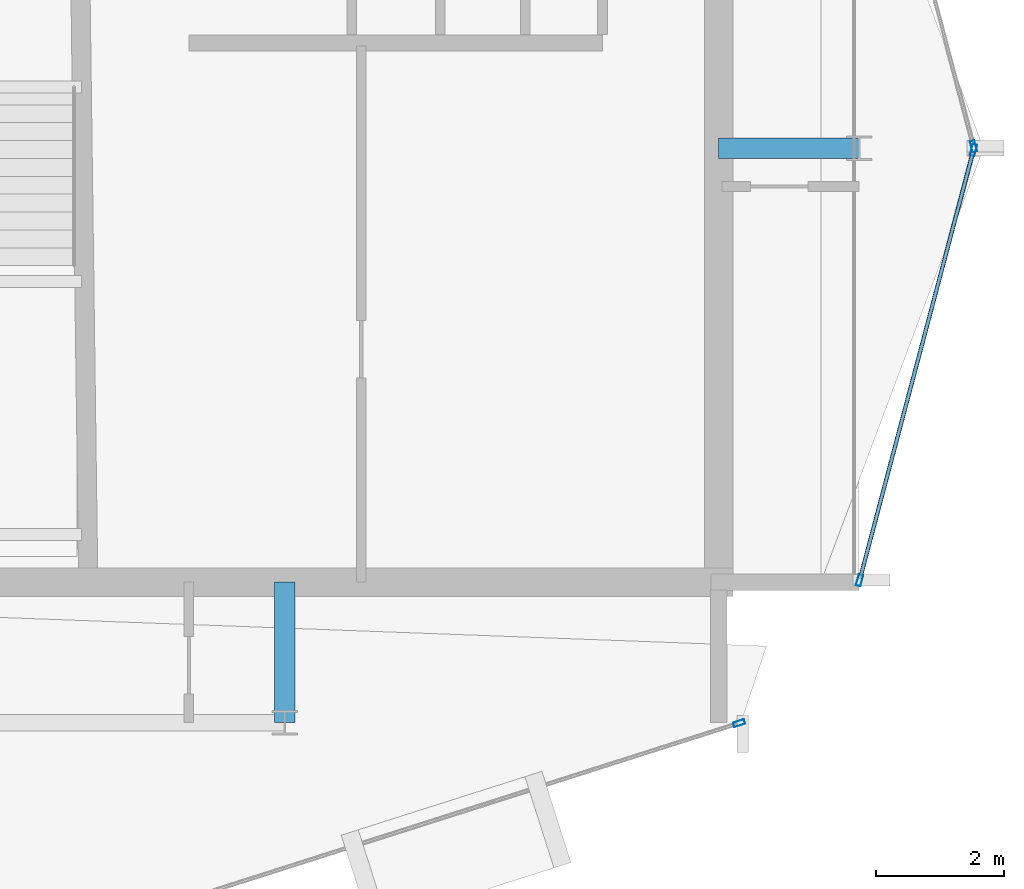
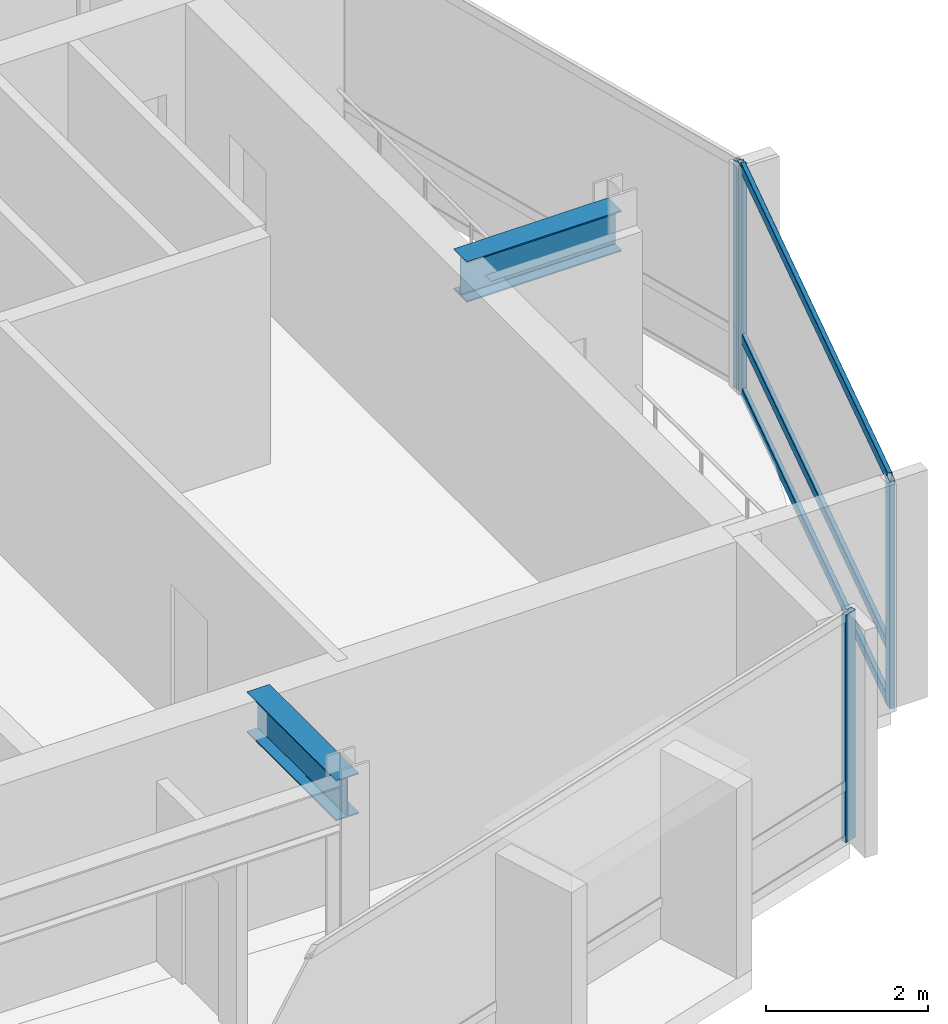
# One storey, part 9 of 19: 7 members, 2 beams, 3 elements without a shape of their own.
"""IFC4 building model written with IfcOpenShell, lengths in metres."""

from ifc_helpers import new_model, si_unit, direction, frame, origin, origin_2d, place, context, subcontext, project, spatial, hollow_rectangle, i_section, extrude, material, layer, layer_set, material_profile, profile_set, type_object, element, aggregate, save


model = new_model("IFC4")

# Units and contexts
model_context = context("Model", 3, precision=1e-05, world=origin(), true_north=direction((0.0, 1.0)))
body_context = subcontext(model_context, "Body", "Model", "MODEL_VIEW")
ifc_project = project(units=[si_unit("LENGTHUNIT", "METRE"), si_unit("AREAUNIT", "SQUARE_METRE"), si_unit("VOLUMEUNIT", "CUBIC_METRE"), si_unit("PLANEANGLEUNIT", "RADIAN"), si_unit("MASSUNIT", "GRAM", prefix="KILO")], contexts=[model_context])

# Site, building, storey
site_placement = place(None, origin())
site = spatial("IfcSite", under=ifc_project, at=site_placement, CompositionType="ELEMENT")
building_placement = place(site_placement, origin())
building = spatial("IfcBuilding", under=site, at=building_placement, Name="Solvaryn Broadcast Tower", CompositionType="ELEMENT")
storey_placement = place(building_placement, frame((0.0, 0.0, 255.60009765625)))
storey = spatial("IfcBuildingStorey", under=building, at=storey_placement, Name="L64", CompositionType="ELEMENT", Elevation=255.60009765625)

# Beams
ifc_material_1 = material(Name="Steel ASTM A992 Grade 50", Category="steel")
ifc_material_profile_1 = material_profile(ifc_material_1, i_section(OverallWidth=0.323974609375, OverallDepth=0.611083984375, WebThickness=0.0126953125, FlangeThickness=0.01904296875, FilletRadius=0.014892578125, at=origin_2d()))
ifc_profile_set_1 = profile_set([ifc_material_profile_1], Name="Steel ASTM A992 Grade 50")
beam_type = type_object("IfcBeamType", Name="BM-B1-W24X104", PredefinedType="BEAM", material=ifc_profile_set_1)
for number, where, z_axis, x_axis, name in (
    (1, (36.0, 9.0, 3.114501953125), (0.0, 1.0, 0.0), (-1.0, 0.0, 0.0), "L64 Core Tie Beam CTE1"),
    (2, (42.800048828125, 18.0, 3.114501953125), (1.0, 0.0, 0.0), (0.0, 1.0, 0.0), "L64 Core Tie Beam CTE3"),
):
    element("IfcBeam", number, at=place(storey_placement, frame(where, z_axis=z_axis, x_axis=x_axis)), inside=storey, type_object=beam_type, Name=name, PredefinedType="BEAM", context=body_context, shape_type="SweptSolid", body=[
        extrude(i_section(OverallWidth=0.323974609375, OverallDepth=0.611083984375, WebThickness=0.0126953125, FlangeThickness=0.01904296875, FilletRadius=0.014892578125, at=origin_2d()), origin(), (0.0, 0.0, 1.0), 2.199951171875),
    ])

# Curtain wall, member
ifc_material_2 = material(Name="Aluminium and Terracotta Unitised Curtain Wall", Category="masonry")
ifc_layer = layer(ifc_material_2, 0.199951171875)
ifc_layer_set = layer_set([ifc_layer], Name="CW-SYS2-LOWMID")
curtain_wall_type = type_object("IfcCurtainWallType", Name="CW-SYS2-LOWMID", PredefinedType="NOTDEFINED", material=ifc_layer_set)
curtain_wall_1_placement = place(storey_placement, origin())
curtain_wall_1 = element("IfcCurtainWall", 3, at=curtain_wall_1_placement, inside=storey, type_object=curtain_wall_type, Name="L64 Curtain Wall DR4", PredefinedType="NOTDEFINED")
ifc_material_3 = material(Name="Anodised Aluminium 6063-T6", Category="aluminium")
ifc_material_profile_2 = material_profile(ifc_material_3, hollow_rectangle(XDim=0.074951171875, YDim=0.179931640625, WallThickness=0.00390625, InnerFilletRadius=0.00390625, OuterFilletRadius=0.008056640625, at=origin_2d()))
ifc_profile_set_2 = profile_set([ifc_material_profile_2], Name="Anodised Aluminium 6063-T6")
member_type_1 = type_object("IfcMemberType", Name="CW-MUL-180", PredefinedType="MULLION", material=ifc_profile_set_2)
member_1_placement = place(storey_placement, frame((43.120361328125, 8.990966796875, 0.0), z_axis=(0.0, 0.0, 1.0), x_axis=(-0.30361564569, 0.952794594701, 0.0)))
member_1 = element("IfcMember", 4, at=member_1_placement, type_object=member_type_1, Name="CWS2 mullion 2", PredefinedType="MULLION", context=body_context, shape_type="SweptSolid", body=[
    extrude(hollow_rectangle(XDim=0.074951171875, YDim=0.179931640625, WallThickness=0.00390625, InnerFilletRadius=0.00390625, OuterFilletRadius=0.008056640625, at=origin_2d()), origin(), (0.0, 0.0, 1.0), 3.419921875),
])
aggregate(curtain_wall_1, [member_1])

curtain_wall_2_placement = place(storey_placement, origin())
curtain_wall_2 = element("IfcCurtainWall", 5, at=curtain_wall_2_placement, inside=storey, type_object=curtain_wall_type, Name="L64 Curtain Wall ET1", PredefinedType="NOTDEFINED")
member_2_placement = place(storey_placement, frame((46.792236328125, 18.029052734375, 0.0), z_axis=(0.0, 0.0, 1.0), x_axis=(0.966705227863, 0.25589256031, 0.0)))
member_2 = element("IfcMember", 6, at=member_2_placement, type_object=member_type_1, Name="CWS2 mullion 2", PredefinedType="MULLION", context=body_context, shape_type="SweptSolid", body=[
    extrude(hollow_rectangle(XDim=0.074951171875, YDim=0.179931640625, WallThickness=0.00390625, InnerFilletRadius=0.00390625, OuterFilletRadius=0.008056640625, at=origin_2d()), origin(), (0.0, 0.0, 1.0), 3.419921875),
])
aggregate(curtain_wall_2, [member_2])

# Curtain wall, members
curtain_wall_3_placement = place(storey_placement, origin())
curtain_wall_3 = element("IfcCurtainWall", 7, at=curtain_wall_3_placement, inside=storey, type_object=curtain_wall_type, Name="L64 Curtain Wall ET2", PredefinedType="NOTDEFINED")
member_3_placement = place(storey_placement, frame((46.792236328125, 17.970947265625, 0.0), z_axis=(0.0, 0.0, 1.0), x_axis=(0.966705227863, -0.25589256031, 0.0)))
member_3 = element("IfcMember", 8, at=member_3_placement, type_object=member_type_1, Name="CWS2 mullion 1", PredefinedType="MULLION", context=body_context, shape_type="SweptSolid", body=[
    extrude(hollow_rectangle(XDim=0.074951171875, YDim=0.179931640625, WallThickness=0.00390625, InnerFilletRadius=0.00390625, OuterFilletRadius=0.008056640625, at=origin_2d()), origin(), (0.0, 0.0, 1.0), 3.419921875),
])
member_4_placement = place(storey_placement, frame((45.007568359375, 11.22900390625, 0.0), z_axis=(0.0, 0.0, 1.0), x_axis=(0.966705227863, -0.25589256031, 0.0)))
member_4 = element("IfcMember", 9, at=member_4_placement, type_object=member_type_1, Name="CWS2 mullion 2", PredefinedType="MULLION", context=body_context, shape_type="SweptSolid", body=[
    extrude(hollow_rectangle(XDim=0.074951171875, YDim=0.179931640625, WallThickness=0.00390625, InnerFilletRadius=0.00390625, OuterFilletRadius=0.008056640625, at=origin_2d()), origin(), (0.0, 0.0, 1.0), 3.419921875),
])
ifc_material_4 = material(Name="Anodised Aluminium 6063-T6", Category="aluminium")
ifc_material_profile_3 = material_profile(ifc_material_4, hollow_rectangle(XDim=0.06494140625, YDim=0.14990234375, WallThickness=0.00390625, InnerFilletRadius=0.00390625, OuterFilletRadius=0.008056640625, at=origin_2d()))
ifc_profile_set_3 = profile_set([ifc_material_profile_3], Name="Anodised Aluminium 6063-T6")
member_type_2 = type_object("IfcMemberType", Name="CW-TRN-150", PredefinedType="USERDEFINED", material=ifc_profile_set_3)
member_5_placement = place(storey_placement, frame((46.78466796875, 17.94189453125, 0.02978515625), z_axis=(-0.255897413051, -0.966703943301, 0.0), x_axis=(0.966703943301, -0.255897413051, 0.0)))
member_5 = element("IfcMember", 10, at=member_5_placement, type_object=member_type_2, Name="CWS2 transom 1.1", ObjectType="TRANSOM", PredefinedType="USERDEFINED", context=body_context, shape_type="SweptSolid", body=[
    extrude(hollow_rectangle(XDim=0.06494140625, YDim=0.14990234375, WallThickness=0.00390625, InnerFilletRadius=0.00390625, OuterFilletRadius=0.008056640625, at=origin_2d()), origin(), (0.0, 0.0, 1.0), 6.9140625),
])
member_6_placement = place(storey_placement, frame((46.78466796875, 17.94189453125, 0.849853515625), z_axis=(-0.255897413051, -0.966703943301, 0.0), x_axis=(0.966703943301, -0.255897413051, 0.0)))
member_6 = element("IfcMember", 11, at=member_6_placement, type_object=member_type_2, Name="CWS2 transom 1.2", ObjectType="TRANSOM", PredefinedType="USERDEFINED", context=body_context, shape_type="SweptSolid", body=[
    extrude(hollow_rectangle(XDim=0.06494140625, YDim=0.14990234375, WallThickness=0.00390625, InnerFilletRadius=0.00390625, OuterFilletRadius=0.008056640625, at=origin_2d()), origin(), (0.0, 0.0, 1.0), 6.9140625),
])
member_7_placement = place(storey_placement, frame((46.78466796875, 17.94189453125, 3.389892578125), z_axis=(-0.255897413051, -0.966703943301, 0.0), x_axis=(0.966703943301, -0.255897413051, 0.0)))
member_7 = element("IfcMember", 12, at=member_7_placement, type_object=member_type_2, Name="CWS2 transom 1.3", ObjectType="TRANSOM", PredefinedType="USERDEFINED", context=body_context, shape_type="SweptSolid", body=[
    extrude(hollow_rectangle(XDim=0.06494140625, YDim=0.14990234375, WallThickness=0.00390625, InnerFilletRadius=0.00390625, OuterFilletRadius=0.008056640625, at=origin_2d()), origin(), (0.0, 0.0, 1.0), 6.9140625),
])
aggregate(curtain_wall_3, [member_3, member_4, member_5, member_6, member_7])

save(model, "model.ifc")
